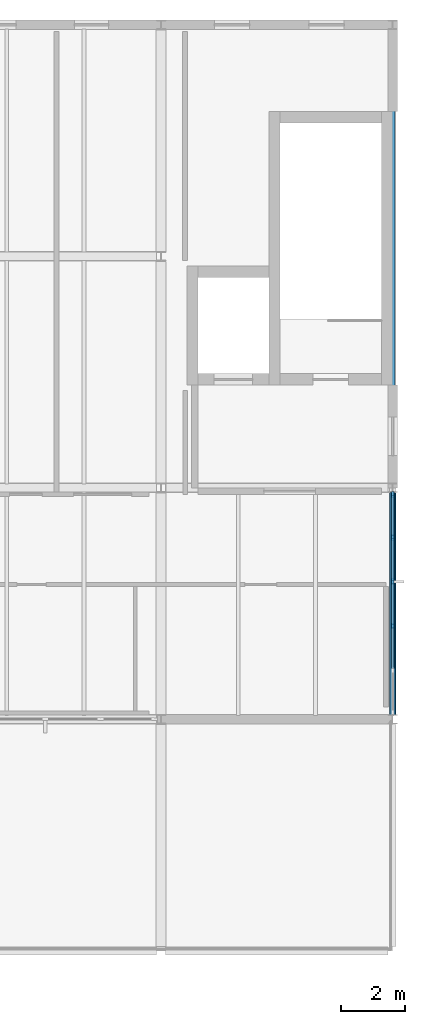
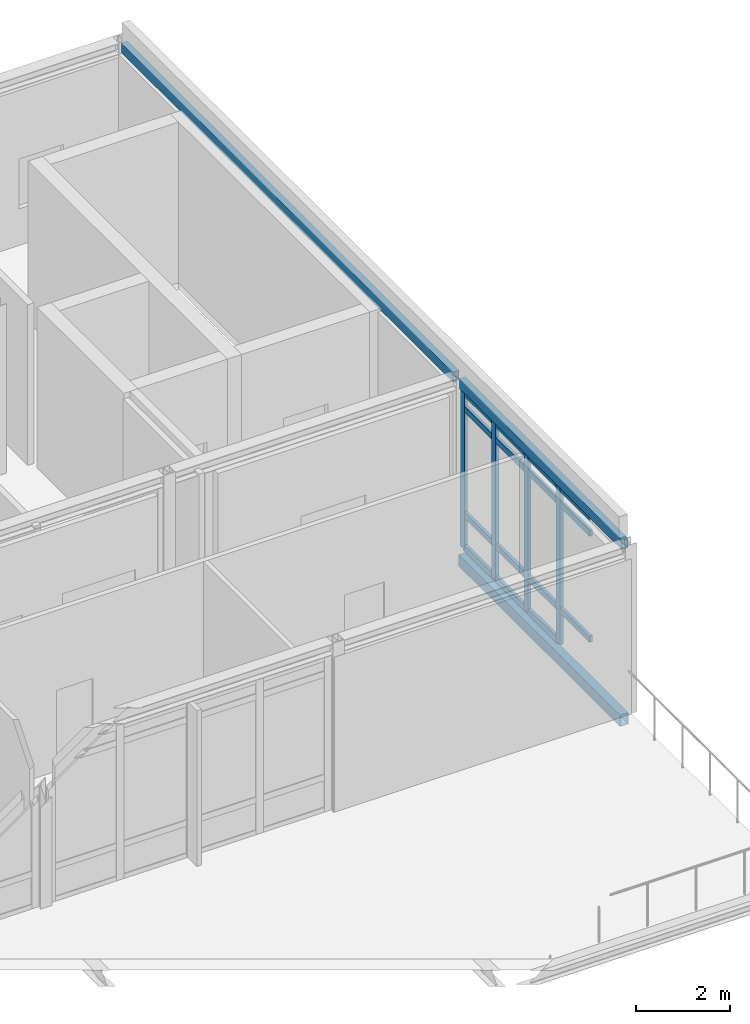
# One storey, part 10 of 21: 19 members, 3 beams, 1 element without a shape of its own.
"""IFC4 building model written with IfcOpenShell, lengths in metres."""

import ifcopenshell
import ifcopenshell.guid

model = None  # the IFC model being written
_history = None  # IfcOwnerHistory: only IFC2X3 demands one
_inside = {}  # id of a spatial element -> (the spatial element, [elements in it])
_under = {}  # id of a project, library or spatial element -> (it, [spatial elements below it])
_declared = {}  # id of a project -> (the project, [libraries it declares])
_typed = {}  # id of a type object -> (the type object, [elements of that type])
_made_of = {}  # id of a material, layer set ... -> (it, [elements and type objects made of it])


def new_model(schema):
    """Start an empty IFC model of exactly this schema.

    Asked for "IFC4X3", IfcOpenShell would pick the latest addendum, in which some entities
    have other attributes; the version numbers below select the first issue.
    IFC2X3 requires an IfcOwnerHistory on every rooted entity: one is made here for all.
    """
    global model, _history
    if schema == "IFC4X3":
        model = ifcopenshell.file(schema_version=(4, 3, 0, 0))
    else:
        model = ifcopenshell.file(schema=schema)
    _inside.clear()
    _under.clear()
    _declared.clear()
    _typed.clear()
    _made_of.clear()
    _history = None
    if model.schema == "IFC2X3":
        org = make("IfcOrganization", Name="unknown")
        user = make(
            "IfcPersonAndOrganization",
            ThePerson=make("IfcPerson", FamilyName="unknown"),
            TheOrganization=org,
        )
        app = make(
            "IfcApplication",
            ApplicationDeveloper=org,
            Version="unknown",
            ApplicationFullName="unknown",
            ApplicationIdentifier="unknown",
        )
        _history = make(
            "IfcOwnerHistory",
            OwningUser=user,
            OwningApplication=app,
            ChangeAction="ADDED",
            CreationDate=0,
        )
    return model


def make(cls, **values):
    """One entity of the class cls with the attributes given. An attribute that is None is left unset."""
    return model.create_entity(
        cls, **{name: value for name, value in values.items() if value is not None}
    )


def rooted(cls, **values):
    """An entity with a GlobalId (a new one), such as an element, a storey or a relation."""
    return make(cls, GlobalId=ifcopenshell.guid.new(), OwnerHistory=_history, **values)


def si_unit(unit_type, name, prefix=None):
    """IfcSIUnit, for example si_unit("LENGTHUNIT", "METRE", prefix="MILLI")."""
    return make("IfcSIUnit", UnitType=unit_type, Prefix=prefix, Name=name)


def assignment(units):
    """IfcUnitAssignment: the units of a project."""
    return None if units is None else make("IfcUnitAssignment", Units=units)


def point(xyz):
    """IfcCartesianPoint."""
    return None if xyz is None else make("IfcCartesianPoint", Coordinates=xyz)


def direction(xyz):
    """IfcDirection."""
    return None if xyz is None else make("IfcDirection", DirectionRatios=xyz)


def frame(location, z_axis=None, x_axis=None):
    """IfcAxis2Placement3D, a coordinate frame: its origin and axes. An axis left out is left unset."""
    return make(
        "IfcAxis2Placement3D",
        Location=point(location),
        Axis=direction(z_axis),
        RefDirection=direction(x_axis),
    )


def frame_2d(location, x_axis=None):
    """IfcAxis2Placement2D, a coordinate frame in the plane: its origin and x axis."""
    return make(
        "IfcAxis2Placement2D", Location=point(location), RefDirection=direction(x_axis)
    )


def origin():
    """The frame at (0, 0, 0) with its axes left unset."""
    return frame((0.0, 0.0, 0.0))


def origin_2d():
    """The frame at (0, 0) in the plane with its x axis left unset."""
    return frame_2d((0.0, 0.0))


def place(relative_to, where):
    """IfcLocalPlacement: puts the frame where relative to a parent placement (None: the world)."""
    return make(
        "IfcLocalPlacement", PlacementRelTo=relative_to, RelativePlacement=where
    )


def context(
    kind, dimensions, precision=None, world=None, true_north=None, identifier=None
):
    """IfcGeometricRepresentationContext, for example the 3D "Model" context."""
    return make(
        "IfcGeometricRepresentationContext",
        ContextIdentifier=identifier,
        ContextType=kind,
        CoordinateSpaceDimension=dimensions,
        Precision=precision,
        WorldCoordinateSystem=world,
        TrueNorth=true_north,
    )


def subcontext(parent, identifier, kind, view, scale=None):
    """IfcGeometricRepresentationSubContext, for example "Body" below "Model"."""
    return make(
        "IfcGeometricRepresentationSubContext",
        ContextIdentifier=identifier,
        ContextType=kind,
        ParentContext=parent,
        TargetScale=scale,
        TargetView=view,
    )


def project(units=None, contexts=None):
    """IfcProject with its units and contexts."""
    return rooted(
        "IfcProject",
        Name="project",
        RepresentationContexts=contexts,
        UnitsInContext=assignment(units),
    )


def spatial(cls, under=None, at=None, **own):
    """A site, building, storey or space (cls), placed at a placement, below another one or the project."""
    s = rooted(cls, ObjectPlacement=at, **own)
    if under is not None:
        _under.setdefault(under.id(), (under, []))[1].append(s)
    return s


def profile(cls, at=None, kind="AREA", **sizes):
    """A parametric profile (cls). Its sizes go by their IFC names, for example OverallWidth=200.0."""
    return make(cls, ProfileType=kind, Position=at, **sizes)


def rectangle(**sizes):
    """IfcRectangleProfileDef."""
    return profile("IfcRectangleProfileDef", **sizes)


def hollow_rectangle(**sizes):
    """IfcRectangleHollowProfileDef."""
    return profile("IfcRectangleHollowProfileDef", **sizes)


def extrude(swept, where, along, depth):
    """IfcExtrudedAreaSolid: the profile swept, set in the frame where, extruded along a direction by depth."""
    return make(
        "IfcExtrudedAreaSolid",
        SweptArea=swept,
        Position=where,
        ExtrudedDirection=direction(along),
        Depth=depth,
    )


def shape(context_of_items, identifier, shape_type, items):
    """IfcShapeRepresentation: the items that make up one representation, for example the "Body"."""
    return make(
        "IfcShapeRepresentation",
        ContextOfItems=context_of_items,
        RepresentationIdentifier=identifier,
        RepresentationType=shape_type,
        Items=items,
    )


def material(Name=None, Category=None):
    """IfcMaterial."""
    return make("IfcMaterial", Name=Name, Category=Category)


def layer(
    of_material, thickness, ventilated=None, Name=None, Category=None, Priority=None
):
    """IfcMaterialLayer: one layer of a wall or slab, of a material (None: an air gap)."""
    return make(
        "IfcMaterialLayer",
        Material=of_material,
        LayerThickness=thickness,
        IsVentilated=ventilated,
        Name=Name,
        Category=Category,
        Priority=Priority,
    )


def layer_set(layers, Name=None):
    """IfcMaterialLayerSet."""
    return make("IfcMaterialLayerSet", MaterialLayers=layers, LayerSetName=Name)


def material_profile(
    of_material, cross_section, Name=None, Category=None, Priority=None
):
    """IfcMaterialProfile: a cross section and its material."""
    return make(
        "IfcMaterialProfile",
        Name=Name,
        Material=of_material,
        Profile=cross_section,
        Priority=Priority,
        Category=Category,
    )


def profile_set(profiles, Name=None, composite=None):
    """IfcMaterialProfileSet."""
    return make(
        "IfcMaterialProfileSet",
        Name=Name,
        MaterialProfiles=profiles,
        CompositeProfile=composite,
    )


def made_of(thing, what):
    """Note that an element or type object is made of a material, layer set ...; save() writes the relation."""
    if what is not None:
        _made_of.setdefault(what.id(), (what, []))[1].append(thing)
    return thing


def type_object(cls, material=None, **own):
    """A type object (cls), such as IfcWallType, which elements share."""
    return made_of(rooted(cls, **own), material)


def element(
    cls,
    number,
    at=None,
    inside=None,
    cuts=None,
    type_object=None,
    material=None,
    context=None,
    identifier="Body",
    shape_type=None,
    held_by="IfcProductDefinitionShape",
    body=None,
    shapes=None,
    **own,
):
    """One element of the class cls, such as IfcWall. Its Tag is "e" and its number.

    at: its placement. inside: the storey or other place that contains it. cuts: it is an
    opening in that element (IfcRelVoidsElement). A single representation is given by context,
    identifier, shape_type and body (its items); several are given by shapes. held_by: the class
    of the entity that holds the representations. save() writes the other relations.
    """
    e = rooted(cls, Tag="e%d" % number, ObjectPlacement=at, **own)
    if body is not None:
        shapes = [shape(context, identifier, shape_type, body)]
    if shapes is not None:
        e.Representation = make(held_by, Representations=shapes)
    if inside is not None:
        _inside.setdefault(inside.id(), (inside, []))[1].append(e)
    if cuts is not None:
        rooted(
            "IfcRelVoidsElement", RelatingBuildingElement=cuts, RelatedOpeningElement=e
        )
    if type_object is not None:
        _typed.setdefault(type_object.id(), (type_object, []))[1].append(e)
    return made_of(e, material)


def aggregate(whole, parts):
    """IfcRelAggregates: a whole, such as a stair, and the parts it consists of."""
    return rooted("IfcRelAggregates", RelatingObject=whole, RelatedObjects=parts)


def save(model, path):
    """Write the relations noted so far, then the file.

    IfcRelAggregates (storeys below a building ...), IfcRelContainedInSpatialStructure (elements
    in a storey), IfcRelDefinesByType, IfcRelAssociatesMaterial and IfcRelDeclares: one each for
    every whole, place, type object, material and project.
    """
    for whole, parts in _under.values():
        aggregate(whole, parts)
    for where, things in _inside.values():
        rooted(
            "IfcRelContainedInSpatialStructure",
            RelatedElements=things,
            RelatingStructure=where,
        )
    for kind, things in _typed.values():
        rooted("IfcRelDefinesByType", RelatedObjects=things, RelatingType=kind)
    for what, things in _made_of.values():
        rooted("IfcRelAssociatesMaterial", RelatedObjects=things, RelatingMaterial=what)
    for by, libraries in _declared.values():
        rooted("IfcRelDeclares", RelatingContext=by, RelatedDefinitions=libraries)
    model.write(path)


model = new_model("IFC4")

# Units and contexts
model_context = context("Model", 3, precision=1e-05, world=origin(), true_north=direction((0.0, 1.0)))
body_context = subcontext(model_context, "Body", "Model", "MODEL_VIEW")
ifc_project = project(units=[si_unit("LENGTHUNIT", "METRE"), si_unit("AREAUNIT", "SQUARE_METRE"), si_unit("VOLUMEUNIT", "CUBIC_METRE"), si_unit("PLANEANGLEUNIT", "RADIAN"), si_unit("MASSUNIT", "GRAM", prefix="KILO")], contexts=[model_context])

# Site, building, storey
site_placement = place(None, origin())
site = spatial("IfcSite", under=ifc_project, at=site_placement, CompositionType="ELEMENT")
building_placement = place(site_placement, origin())
building = spatial("IfcBuilding", under=site, at=building_placement, Name="Zarrinpeak Specialist Clinic", CompositionType="ELEMENT")
storey_placement = place(building_placement, frame((0.0, 0.0, 22.800048828125)))
storey = spatial("IfcBuildingStorey", under=building, at=storey_placement, Name="L05", CompositionType="ELEMENT", Elevation=22.800048828125)

# Beams
ifc_material_1 = material(Name="Steel S355", Category="steel")
ifc_material_profile_1 = material_profile(ifc_material_1, hollow_rectangle(XDim=0.14990234375, YDim=0.25, WallThickness=0.010009765625, at=origin_2d()), Name="RHS 250x150x10.0")
ifc_profile_set_1 = profile_set([ifc_material_profile_1], Name="Steel S355")
beam_type_1 = type_object("IfcBeamType", Name="BM-SP250", PredefinedType="SPANDREL", material=ifc_profile_set_1)
beam_1_placement = place(storey_placement, frame((64.800048828125, 96.5380859375, 4.25), z_axis=(0.0, 1.0, 0.0), x_axis=(-1.0, 0.0, 0.0)))
element("IfcBeam", 1, at=beam_1_placement, inside=storey, type_object=beam_type_1, Name="L05 Gable Eave Spandrel Beam V6 BM-RF-SP-2501", PredefinedType="SPANDREL", context=body_context, shape_type="SweptSolid", body=[
    extrude(hollow_rectangle(XDim=0.14990234375, YDim=0.25, WallThickness=0.010009765625, at=origin_2d()), origin(), (0.0, 0.0, 1.0), 6.923828125),
])
beam_2_placement = place(storey_placement, frame((64.800048828125, 103.738037109375, 4.25), z_axis=(0.0, 1.0, 0.0), x_axis=(-1.0, 0.0, 0.0)))
element("IfcBeam", 2, at=beam_2_placement, inside=storey, type_object=beam_type_1, Name="L05 Gable Eave Spandrel Beam V6 BM-RF-SP-2502", PredefinedType="SPANDREL", context=body_context, shape_type="SweptSolid", body=[
    extrude(hollow_rectangle(XDim=0.14990234375, YDim=0.25, WallThickness=0.010009765625, at=origin_2d()), origin(), (0.0, 0.0, 1.0), 14.1240234375),
])
ifc_material_profile_2 = material_profile(ifc_material_1, hollow_rectangle(XDim=0.199951171875, YDim=0.300048828125, WallThickness=0.012451171875, at=origin_2d()), Name="RHS 300x200x12.5")
ifc_profile_set_2 = profile_set([ifc_material_profile_2], Name="Steel S355")
beam_type_2 = type_object("IfcBeamType", Name="BM-SP300", PredefinedType="SPANDREL", material=ifc_profile_set_2)
beam_3_placement = place(storey_placement, frame((64.800048828125, 96.55810546875, -0.3349609375), z_axis=(0.0, 1.0, 0.0), x_axis=(-1.0, 0.0, 0.0)))
element("IfcBeam", 3, at=beam_3_placement, inside=storey, type_object=beam_type_2, Name="L05 Perimeter Spandrel Beam BM-L05-Y2127", PredefinedType="SPANDREL", context=body_context, shape_type="SweptSolid", body=[
    extrude(hollow_rectangle(XDim=0.199951171875, YDim=0.300048828125, WallThickness=0.012451171875, at=origin_2d()), origin(), (0.0, 0.0, 1.0), 6.8837890625),
])

# Curtain wall, members
ifc_material_2 = material(Name="Anodised Aluminium Alloy 6063-T6", Category="aluminium")
ifc_layer = layer(ifc_material_2, 0.1650390625)
ifc_layer_set = layer_set([ifc_layer], Name="Anodised Aluminium Alloy 6063-T6")
curtain_wall_type = type_object("IfcCurtainWallType", Name="CW-CLINIC", PredefinedType="NOTDEFINED", material=ifc_layer_set)
curtain_wall_placement = place(storey_placement, origin())
curtain_wall = element("IfcCurtainWall", 4, at=curtain_wall_placement, inside=storey, type_object=curtain_wall_type, Name="L05 V6 Unitised Curtain Wall CW-L05-V6-162", PredefinedType="NOTDEFINED")
ifc_material_profile_3 = material_profile(ifc_material_2, rectangle(XDim=0.074951171875, YDim=0.179931640625, at=origin_2d()), Name="ALU 75x180")
ifc_profile_set_3 = profile_set([ifc_material_profile_3], Name="Anodised Aluminium Alloy 6063-T6")
member_type_1 = type_object("IfcMemberType", Name="CWM-75", PredefinedType="MULLION", material=ifc_profile_set_3)
member_1_placement = place(storey_placement, frame((64.800048828125, 99.31298828125, 0.0), z_axis=(0.0, 0.0, 1.0), x_axis=(-1.0, 0.0, 0.0)))
member_1 = element("IfcMember", 5, at=member_1_placement, type_object=member_type_1, Name="CW-03 mullion 3", PredefinedType="MULLION", context=body_context, shape_type="SweptSolid", body=[
    extrude(rectangle(XDim=0.074951171875, YDim=0.179931640625, at=origin_2d()), origin(), (0.0, 0.0, 1.0), 4.10986328125),
])
member_2_placement = place(storey_placement, frame((64.800048828125, 100.68701171875, 0.0), z_axis=(0.0, 0.0, 1.0), x_axis=(-1.0, 0.0, 0.0)))
member_2 = element("IfcMember", 6, at=member_2_placement, type_object=member_type_1, Name="CW-03 mullion 4", PredefinedType="MULLION", context=body_context, shape_type="SweptSolid", body=[
    extrude(rectangle(XDim=0.074951171875, YDim=0.179931640625, at=origin_2d()), origin(), (0.0, 0.0, 1.0), 4.10986328125),
])
member_3_placement = place(storey_placement, frame((64.800048828125, 102.06103515625, 0.0), z_axis=(0.0, 0.0, 1.0), x_axis=(-1.0, 0.0, 0.0)))
member_3 = element("IfcMember", 7, at=member_3_placement, type_object=member_type_1, Name="CW-03 mullion 5", PredefinedType="MULLION", context=body_context, shape_type="SweptSolid", body=[
    extrude(rectangle(XDim=0.074951171875, YDim=0.179931640625, at=origin_2d()), origin(), (0.0, 0.0, 1.0), 4.10986328125),
])
member_4_placement = place(storey_placement, frame((64.800048828125, 103.3974609375, 0.0), z_axis=(0.0, 0.0, 1.0), x_axis=(-1.0, 0.0, 0.0)))
member_4 = element("IfcMember", 8, at=member_4_placement, type_object=member_type_1, Name="CW-03 mullion 6", PredefinedType="MULLION", context=body_context, shape_type="SweptSolid", body=[
    extrude(rectangle(XDim=0.074951171875, YDim=0.179931640625, at=origin_2d()), origin(), (0.0, 0.0, 1.0), 4.10986328125),
])
ifc_material_profile_4 = material_profile(ifc_material_2, rectangle(XDim=0.074951171875, YDim=0.159912109375, at=origin_2d()), Name="ALU 75x160")
ifc_profile_set_4 = profile_set([ifc_material_profile_4], Name="Anodised Aluminium Alloy 6063-T6")
member_type_2 = type_object("IfcMemberType", Name="CWT-75", PredefinedType="USERDEFINED", material=ifc_profile_set_4)
member_5_placement = place(storey_placement, frame((64.800048828125, 97.9765625, 0.89990234375), z_axis=(0.0, 1.0, 0.0), x_axis=(-1.0, 0.0, 0.0)))
member_5 = element("IfcMember", 9, at=member_5_placement, type_object=member_type_2, Name="CW-03 transom 2.2", ObjectType="TRANSOM", PredefinedType="USERDEFINED", context=body_context, shape_type="SweptSolid", body=[
    extrude(rectangle(XDim=0.074951171875, YDim=0.159912109375, at=origin_2d()), origin(), (0.0, 0.0, 1.0), 1.298828125),
])
member_6_placement = place(storey_placement, frame((64.800048828125, 97.9765625, 3.659912109375), z_axis=(0.0, 1.0, 0.0), x_axis=(-1.0, 0.0, 0.0)))
member_6 = element("IfcMember", 10, at=member_6_placement, type_object=member_type_2, Name="CW-03 transom 2.3", ObjectType="TRANSOM", PredefinedType="USERDEFINED", context=body_context, shape_type="SweptSolid", body=[
    extrude(rectangle(XDim=0.074951171875, YDim=0.159912109375, at=origin_2d()), origin(), (0.0, 0.0, 1.0), 1.298828125),
])
member_7_placement = place(storey_placement, frame((64.800048828125, 97.9765625, 4.072509765625), z_axis=(0.0, 1.0, 0.0), x_axis=(-1.0, 0.0, 0.0)))
member_7 = element("IfcMember", 11, at=member_7_placement, type_object=member_type_2, Name="CW-03 transom 2.4", ObjectType="TRANSOM", PredefinedType="USERDEFINED", context=body_context, shape_type="SweptSolid", body=[
    extrude(rectangle(XDim=0.074951171875, YDim=0.159912109375, at=origin_2d()), origin(), (0.0, 0.0, 1.0), 1.298828125),
])
member_8_placement = place(storey_placement, frame((64.800048828125, 99.3505859375, 0.037353515625), z_axis=(0.0, 1.0, 0.0), x_axis=(-1.0, 0.0, 0.0)))
member_8 = element("IfcMember", 12, at=member_8_placement, type_object=member_type_2, Name="CW-03 transom 3.1", ObjectType="TRANSOM", PredefinedType="USERDEFINED", context=body_context, shape_type="SweptSolid", body=[
    extrude(rectangle(XDim=0.074951171875, YDim=0.159912109375, at=origin_2d()), origin(), (0.0, 0.0, 1.0), 1.298828125),
])
member_9_placement = place(storey_placement, frame((64.800048828125, 99.3505859375, 0.89990234375), z_axis=(0.0, 1.0, 0.0), x_axis=(-1.0, 0.0, 0.0)))
member_9 = element("IfcMember", 13, at=member_9_placement, type_object=member_type_2, Name="CW-03 transom 3.2", ObjectType="TRANSOM", PredefinedType="USERDEFINED", context=body_context, shape_type="SweptSolid", body=[
    extrude(rectangle(XDim=0.074951171875, YDim=0.159912109375, at=origin_2d()), origin(), (0.0, 0.0, 1.0), 1.298828125),
])
member_10_placement = place(storey_placement, frame((64.800048828125, 99.3505859375, 3.659912109375), z_axis=(0.0, 1.0, 0.0), x_axis=(-1.0, 0.0, 0.0)))
member_10 = element("IfcMember", 14, at=member_10_placement, type_object=member_type_2, Name="CW-03 transom 3.3", ObjectType="TRANSOM", PredefinedType="USERDEFINED", context=body_context, shape_type="SweptSolid", body=[
    extrude(rectangle(XDim=0.074951171875, YDim=0.159912109375, at=origin_2d()), origin(), (0.0, 0.0, 1.0), 1.298828125),
])
member_11_placement = place(storey_placement, frame((64.800048828125, 99.3505859375, 4.072509765625), z_axis=(0.0, 1.0, 0.0), x_axis=(-1.0, 0.0, 0.0)))
member_11 = element("IfcMember", 15, at=member_11_placement, type_object=member_type_2, Name="CW-03 transom 3.4", ObjectType="TRANSOM", PredefinedType="USERDEFINED", context=body_context, shape_type="SweptSolid", body=[
    extrude(rectangle(XDim=0.074951171875, YDim=0.159912109375, at=origin_2d()), origin(), (0.0, 0.0, 1.0), 1.298828125),
])
member_12_placement = place(storey_placement, frame((64.800048828125, 100.724609375, 0.037353515625), z_axis=(0.0, 1.0, 0.0), x_axis=(-1.0, 0.0, 0.0)))
member_12 = element("IfcMember", 16, at=member_12_placement, type_object=member_type_2, Name="CW-03 transom 4.1", ObjectType="TRANSOM", PredefinedType="USERDEFINED", context=body_context, shape_type="SweptSolid", body=[
    extrude(rectangle(XDim=0.074951171875, YDim=0.159912109375, at=origin_2d()), origin(), (0.0, 0.0, 1.0), 1.298828125),
])
member_13_placement = place(storey_placement, frame((64.800048828125, 100.724609375, 0.89990234375), z_axis=(0.0, 1.0, 0.0), x_axis=(-1.0, 0.0, 0.0)))
member_13 = element("IfcMember", 17, at=member_13_placement, type_object=member_type_2, Name="CW-03 transom 4.2", ObjectType="TRANSOM", PredefinedType="USERDEFINED", context=body_context, shape_type="SweptSolid", body=[
    extrude(rectangle(XDim=0.074951171875, YDim=0.159912109375, at=origin_2d()), origin(), (0.0, 0.0, 1.0), 1.298828125),
])
member_14_placement = place(storey_placement, frame((64.800048828125, 100.724609375, 3.659912109375), z_axis=(0.0, 1.0, 0.0), x_axis=(-1.0, 0.0, 0.0)))
member_14 = element("IfcMember", 18, at=member_14_placement, type_object=member_type_2, Name="CW-03 transom 4.3", ObjectType="TRANSOM", PredefinedType="USERDEFINED", context=body_context, shape_type="SweptSolid", body=[
    extrude(rectangle(XDim=0.074951171875, YDim=0.159912109375, at=origin_2d()), origin(), (0.0, 0.0, 1.0), 1.298828125),
])
member_15_placement = place(storey_placement, frame((64.800048828125, 100.724609375, 4.072509765625), z_axis=(0.0, 1.0, 0.0), x_axis=(-1.0, 0.0, 0.0)))
member_15 = element("IfcMember", 19, at=member_15_placement, type_object=member_type_2, Name="CW-03 transom 4.4", ObjectType="TRANSOM", PredefinedType="USERDEFINED", context=body_context, shape_type="SweptSolid", body=[
    extrude(rectangle(XDim=0.074951171875, YDim=0.159912109375, at=origin_2d()), origin(), (0.0, 0.0, 1.0), 1.298828125),
])
member_16_placement = place(storey_placement, frame((64.800048828125, 102.098388671875, 0.037353515625), z_axis=(0.0, 1.0, 0.0), x_axis=(-1.0, 0.0, 0.0)))
member_16 = element("IfcMember", 20, at=member_16_placement, type_object=member_type_2, Name="CW-03 transom 5.1", ObjectType="TRANSOM", PredefinedType="USERDEFINED", context=body_context, shape_type="SweptSolid", body=[
    extrude(rectangle(XDim=0.074951171875, YDim=0.159912109375, at=origin_2d()), origin(), (0.0, 0.0, 1.0), 1.26171875),
])
member_17_placement = place(storey_placement, frame((64.800048828125, 102.098388671875, 0.89990234375), z_axis=(0.0, 1.0, 0.0), x_axis=(-1.0, 0.0, 0.0)))
member_17 = element("IfcMember", 21, at=member_17_placement, type_object=member_type_2, Name="CW-03 transom 5.2", ObjectType="TRANSOM", PredefinedType="USERDEFINED", context=body_context, shape_type="SweptSolid", body=[
    extrude(rectangle(XDim=0.074951171875, YDim=0.159912109375, at=origin_2d()), origin(), (0.0, 0.0, 1.0), 1.26171875),
])
member_18_placement = place(storey_placement, frame((64.800048828125, 102.098388671875, 3.659912109375), z_axis=(0.0, 1.0, 0.0), x_axis=(-1.0, 0.0, 0.0)))
member_18 = element("IfcMember", 22, at=member_18_placement, type_object=member_type_2, Name="CW-03 transom 5.3", ObjectType="TRANSOM", PredefinedType="USERDEFINED", context=body_context, shape_type="SweptSolid", body=[
    extrude(rectangle(XDim=0.074951171875, YDim=0.159912109375, at=origin_2d()), origin(), (0.0, 0.0, 1.0), 1.26171875),
])
member_19_placement = place(storey_placement, frame((64.800048828125, 102.098388671875, 4.072509765625), z_axis=(0.0, 1.0, 0.0), x_axis=(-1.0, 0.0, 0.0)))
member_19 = element("IfcMember", 23, at=member_19_placement, type_object=member_type_2, Name="CW-03 transom 5.4", ObjectType="TRANSOM", PredefinedType="USERDEFINED", context=body_context, shape_type="SweptSolid", body=[
    extrude(rectangle(XDim=0.074951171875, YDim=0.159912109375, at=origin_2d()), origin(), (0.0, 0.0, 1.0), 1.26171875),
])
aggregate(curtain_wall, [member_1, member_2, member_3, member_4, member_5, member_6, member_7, member_8, member_9, member_10, member_11, member_12, member_13, member_14, member_15, member_16, member_17, member_18, member_19])

save(model, "model.ifc")
